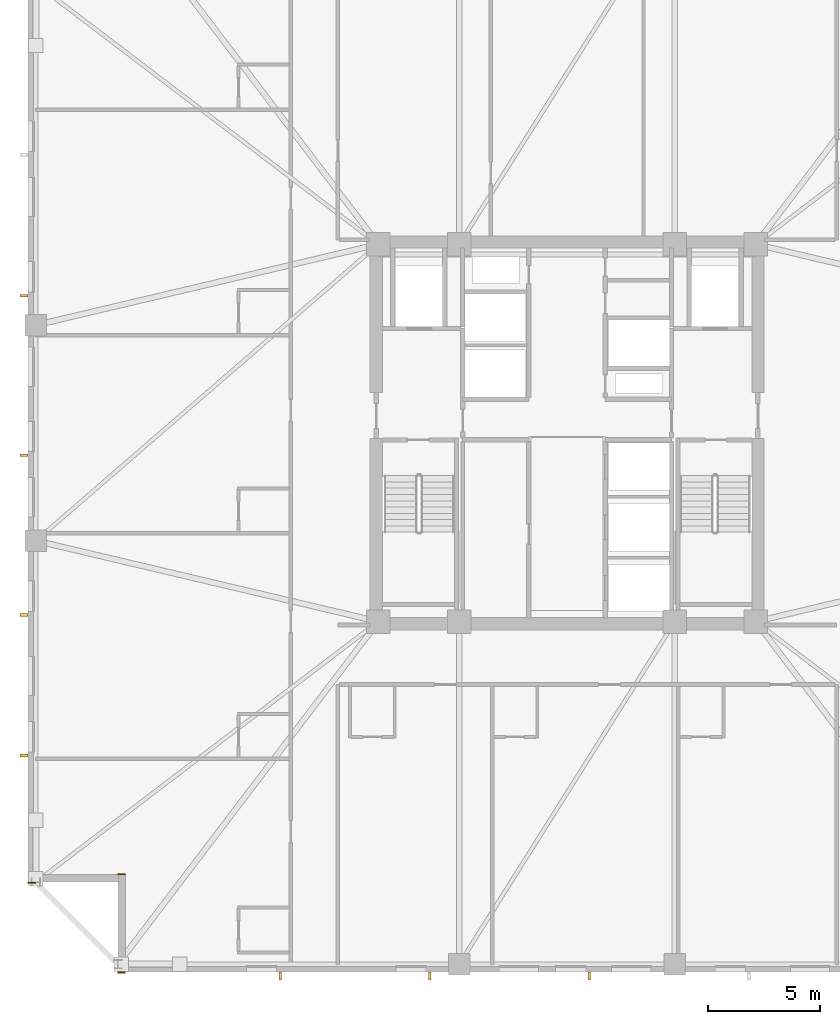
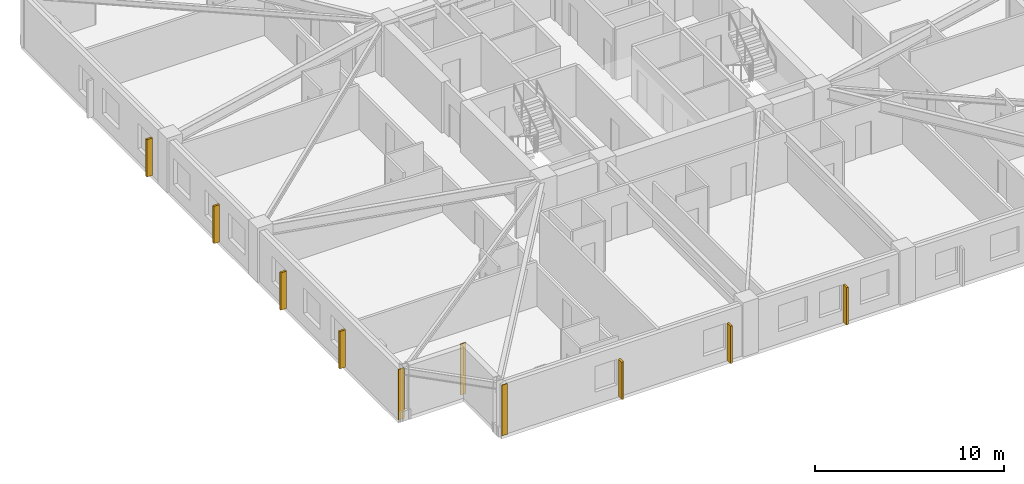
# One storey, part 7 of 11: 7 shading devices, 3 coverings.
"""IFC4 building model written with IfcOpenShell, lengths in metres."""

from ifc_helpers import new_model, si_unit, direction, frame, frame_2d, origin, origin_2d, place, context, subcontext, project, spatial, rectangle, extrude, material, layer, layer_set, type_object, element, save


model = new_model("IFC4")

# Units and contexts
model_context = context("Model", 3, precision=1e-05, world=origin(), true_north=direction((0.0, 1.0)))
body_context = subcontext(model_context, "Body", "Model", "MODEL_VIEW")
ifc_project = project(units=[si_unit("LENGTHUNIT", "METRE"), si_unit("AREAUNIT", "SQUARE_METRE"), si_unit("VOLUMEUNIT", "CUBIC_METRE"), si_unit("PLANEANGLEUNIT", "RADIAN"), si_unit("MASSUNIT", "GRAM", prefix="KILO")], contexts=[model_context])

# Site, building, storey
site_placement = place(None, origin())
site = spatial("IfcSite", under=ifc_project, at=site_placement, CompositionType="ELEMENT")
building_placement = place(site_placement, origin())
building = spatial("IfcBuilding", under=site, at=building_placement, Name="Cairnveth Concourse Tower", CompositionType="ELEMENT")
storey_placement = place(building_placement, frame((0.0, 0.0, 176.0)))
storey = spatial("IfcBuildingStorey", under=building, at=storey_placement, Name="L48", CompositionType="ELEMENT", Elevation=176.0)

# Coverings
ifc_material_1 = material(Name="Dressed Melbourne Bluestone Cladding", Category="masonry")
ifc_layer = layer(ifc_material_1, 0.050048828125)
ifc_layer_set = layer_set([ifc_layer], Name="Dressed Melbourne Bluestone Cladding")
covering_type = type_object("IfcCoveringType", Name="DRESSED BLUESTONE PLINTH CLADDING 50", PredefinedType="CLADDING", material=ifc_layer_set)
for number, where, z_axis, x_axis, name in (
    (1, (32.340087890625, 14.97998046875, 0.0), (0.0, 0.0, 1.0), (-1.0, 0.0, 0.0), "Melbourne Bluestone Corner Quoin L48-711"),
    (2, (32.340087890625, 19.360107421875, 0.0), (0.0, 0.0, 1.0), (-1.0, 0.0, 0.0), "Melbourne Bluestone Corner Quoin L48-712"),
    (3, (28.340087890625, 18.97998046875, 0.0), (0.0, 0.0, 1.0), (-1.0, 0.0, 0.0), "Melbourne Bluestone Corner Quoin L48-713"),
):
    element("IfcCovering", number, at=place(storey_placement, frame(where, z_axis=z_axis, x_axis=x_axis)), inside=storey, type_object=covering_type, Name=name, PredefinedType="CLADDING", context=body_context, shape_type="SweptSolid", body=[
        extrude(rectangle(XDim=0.340087890625, YDim=0.050048828125, at=frame_2d((0.169921875, 0.0))), origin(), (0.0, 0.0, 1.0), 3.280029296875),
    ])

# Shading devices
ifc_material_2 = material(Name="Architectural Bronze Anodised Aluminium 6063-T6", Category="aluminium")
shading_device_type = type_object("IfcShadingDeviceType", Name="GOTHIC BRONZE VERTICAL LANCET FIN", PredefinedType="USERDEFINED", material=ifc_material_2)
for number, where, z_axis, x_axis, name in (
    (4, (52.993896484375, 14.824951171875, 0.030029296875), (0.0, 0.0, 1.0), (1.0, 0.0, 0.0), "Gothic Bronze Vertical Fin L48-3-5"),
    (5, (45.886962890625, 14.824951171875, 0.030029296875), (0.0, 0.0, 1.0), (1.0, 0.0, 0.0), "Gothic Bronze Vertical Fin L48-3-7"),
    (6, (39.229736328125, 14.824951171875, 0.030029296875), (0.0, 0.0, 1.0), (1.0, 0.0, 0.0), "Gothic Bronze Vertical Fin L48-3-9"),
    (7, (27.824951171875, 24.641845703125, 0.030029296875), (0.0, 0.0, 1.0), (0.0, 1.0, 0.0), "Gothic Bronze Vertical Fin L48-6-1"),
    (8, (27.824951171875, 30.89892578125, 0.030029296875), (0.0, 0.0, 1.0), (0.0, 1.0, 0.0), "Gothic Bronze Vertical Fin L48-6-3"),
    (9, (27.824951171875, 38.006103515625, 0.030029296875), (0.0, 0.0, 1.0), (0.0, 1.0, 0.0), "Gothic Bronze Vertical Fin L48-6-5"),
    (10, (27.824951171875, 45.113037109375, 0.030029296875), (0.0, 0.0, 1.0), (0.0, 1.0, 0.0), "Gothic Bronze Vertical Fin L48-6-7"),
):
    element("IfcShadingDevice", number, at=place(storey_placement, frame(where, z_axis=z_axis, x_axis=x_axis)), inside=storey, type_object=shading_device_type, Name=name, ObjectType="VERTICAL FIN", PredefinedType="USERDEFINED", context=body_context, shape_type="SweptSolid", body=[
        extrude(rectangle(XDim=0.1201171875, YDim=0.360107421875, at=origin_2d()), origin(), (0.0, 0.0, 1.0), 2.419921875),
    ])

save(model, "model.ifc")
